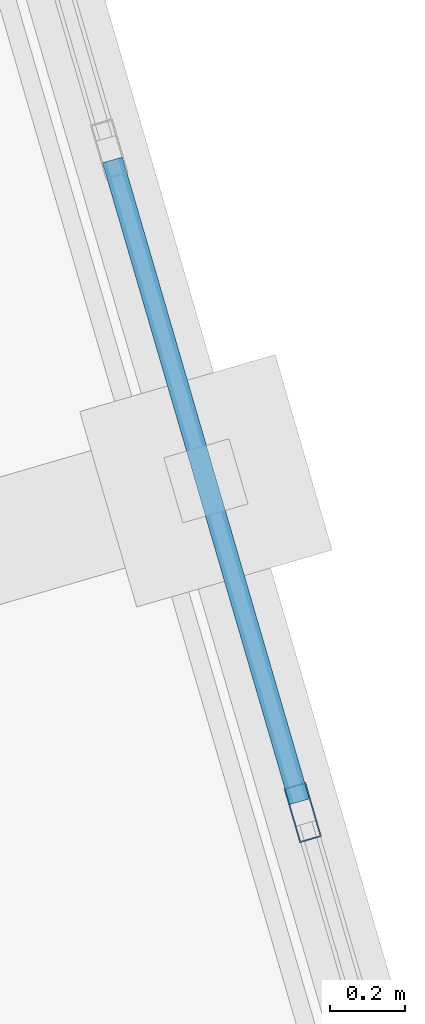
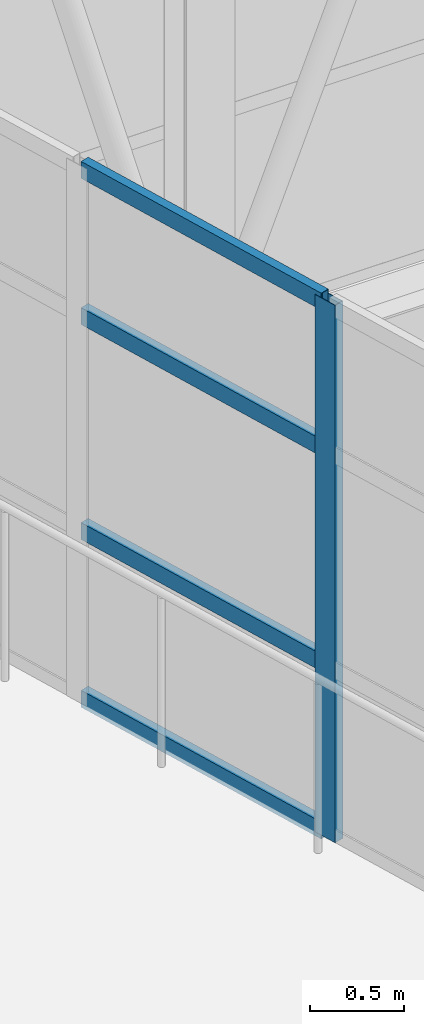
# One storey, part 86 of 248: 5 members, 1 element without a shape of its own.
"""IFC4 building model written with IfcOpenShell, lengths in metres."""

from ifc_helpers import new_model, si_unit, direction, frame, origin, origin_2d, place, context, subcontext, project, spatial, hollow_rectangle, extrude, material, layer, layer_set, material_profile, profile_set, type_object, element, aggregate, save


model = new_model("IFC4")

# Units and contexts
model_context = context("Model", 3, precision=1e-05, world=origin(), true_north=direction((0.0, 1.0)))
body_context = subcontext(model_context, "Body", "Model", "MODEL_VIEW")
ifc_project = project(units=[si_unit("LENGTHUNIT", "METRE"), si_unit("AREAUNIT", "SQUARE_METRE"), si_unit("VOLUMEUNIT", "CUBIC_METRE"), si_unit("PLANEANGLEUNIT", "RADIAN"), si_unit("MASSUNIT", "GRAM", prefix="KILO")], contexts=[model_context])

# Site, building, storey
site_placement = place(None, origin())
site = spatial("IfcSite", under=ifc_project, at=site_placement, CompositionType="ELEMENT")
building_placement = place(site_placement, origin())
building = spatial("IfcBuilding", under=site, at=building_placement, Name="Canggui Botanical Conservatory", CompositionType="ELEMENT")
storey_placement = place(building_placement, frame((0.0, 0.0, 5.39990234375)))
storey = spatial("IfcBuildingStorey", under=building, at=storey_placement, Name="L02", CompositionType="ELEMENT", Elevation=5.39990234375)

# Curtain wall, members
ifc_material = material(Name="Thermally Broken Aluminium", Category="aluminium")
ifc_layer = layer(ifc_material, 0.14990234375, Name="Thermally Broken Aluminium", Category="aluminium")
ifc_layer_set = layer_set([ifc_layer], Name="Thermally Broken Aluminium")
curtain_wall_type = type_object("IfcCurtainWallType", Name="CW-UNIT-C", PredefinedType="USERDEFINED", material=ifc_layer_set)
curtain_wall_placement = place(storey_placement, origin())
curtain_wall = element("IfcCurtainWall", 1, at=curtain_wall_placement, inside=storey, type_object=curtain_wall_type, Name="Facade Curtain Wall CW-CONS-GABLE-L02-N-03", ObjectType="UNITISED CURTAIN WALL", PredefinedType="USERDEFINED")
ifc_material_profile_1 = material_profile(ifc_material, hollow_rectangle(XDim=0.06005859375, YDim=0.14990234375, WallThickness=0.00341796875, at=origin_2d()), Name="CWM 60x150x3.5")
ifc_profile_set_1 = profile_set([ifc_material_profile_1], Name="Thermally Broken Aluminium")
member_type_1 = type_object("IfcMemberType", Name="CWM-03", PredefinedType="MULLION", material=ifc_profile_set_1)
member_1_placement = place(storey_placement, frame((67.896728515625, 70.639892578125, 0.0), z_axis=(0.0, 0.0, 1.0), x_axis=(-0.960000000002, -0.279999999995, 0.0)))
member_1 = element("IfcMember", 2, at=member_1_placement, type_object=member_type_1, Name="CW-03 mullion 2", PredefinedType="MULLION", context=body_context, shape_type="SweptSolid", body=[
    extrude(hollow_rectangle(XDim=0.06005859375, YDim=0.14990234375, WallThickness=0.00341796875, at=origin_2d()), origin(), (0.0, 0.0, 1.0), 3.5),
])
ifc_material_profile_2 = material_profile(ifc_material, hollow_rectangle(XDim=0.054931640625, YDim=0.110107421875, WallThickness=0.0029296875, at=origin_2d()), Name="CWT 55x110x3")
ifc_profile_set_2 = profile_set([ifc_material_profile_2], Name="Thermally Broken Aluminium")
member_type_2 = type_object("IfcMemberType", Name="CWT-03", PredefinedType="USERDEFINED", material=ifc_profile_set_2)
member_2_placement = place(storey_placement, frame((67.88818359375, 70.668701171875, 0.027587890625), z_axis=(-0.279899548536, 0.960029292641, 0.0), x_axis=(-0.960029292641, -0.279899548536, 0.0)))
member_2 = element("IfcMember", 3, at=member_2_placement, type_object=member_type_2, Name="CW-03 transom 2.1", ObjectType="TRANSOM", PredefinedType="USERDEFINED", context=body_context, shape_type="SweptSolid", body=[
    extrude(hollow_rectangle(XDim=0.054931640625, YDim=0.110107421875, WallThickness=0.0029296875, at=origin_2d()), origin(), (0.0, 0.0, 1.0), 1.773193359375),
])
member_3_placement = place(storey_placement, frame((67.88818359375, 70.668701171875, 1.1201171875), z_axis=(-0.279899548536, 0.960029292641, 0.0), x_axis=(-0.960029292641, -0.279899548536, 0.0)))
member_3 = element("IfcMember", 4, at=member_3_placement, type_object=member_type_2, Name="CW-03 transom 2.2", ObjectType="TRANSOM", PredefinedType="USERDEFINED", context=body_context, shape_type="SweptSolid", body=[
    extrude(hollow_rectangle(XDim=0.054931640625, YDim=0.110107421875, WallThickness=0.0029296875, at=origin_2d()), origin(), (0.0, 0.0, 1.0), 1.773193359375),
])
member_4_placement = place(storey_placement, frame((67.88818359375, 70.668701171875, 2.52001953125), z_axis=(-0.279899548536, 0.960029292641, 0.0), x_axis=(-0.960029292641, -0.279899548536, 0.0)))
member_4 = element("IfcMember", 5, at=member_4_placement, type_object=member_type_2, Name="CW-03 transom 2.3", ObjectType="TRANSOM", PredefinedType="USERDEFINED", context=body_context, shape_type="SweptSolid", body=[
    extrude(hollow_rectangle(XDim=0.054931640625, YDim=0.110107421875, WallThickness=0.0029296875, at=origin_2d()), origin(), (0.0, 0.0, 1.0), 1.773193359375),
])
member_5_placement = place(storey_placement, frame((67.88818359375, 70.668701171875, 3.47265625), z_axis=(-0.279899548536, 0.960029292641, 0.0), x_axis=(-0.960029292641, -0.279899548536, 0.0)))
member_5 = element("IfcMember", 6, at=member_5_placement, type_object=member_type_2, Name="CW-03 transom 2.4", ObjectType="TRANSOM", PredefinedType="USERDEFINED", context=body_context, shape_type="SweptSolid", body=[
    extrude(hollow_rectangle(XDim=0.054931640625, YDim=0.110107421875, WallThickness=0.0029296875, at=origin_2d()), origin(), (0.0, 0.0, 1.0), 1.773193359375),
])
aggregate(curtain_wall, [member_1, member_2, member_3, member_4, member_5])

save(model, "model.ifc")
